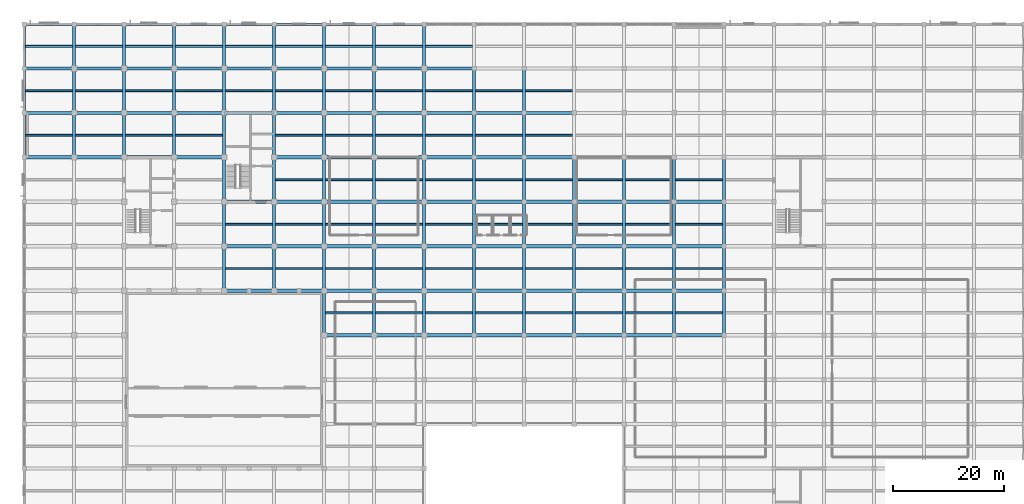
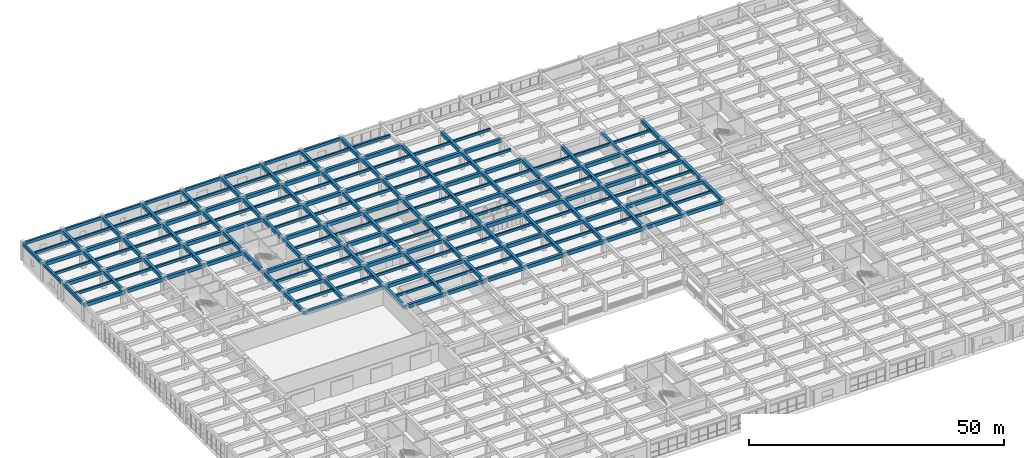
# One storey, part 15 of 50: 216 beams.
"""IFC4 building model written with IfcOpenShell, lengths in metres."""

import ifcopenshell
import ifcopenshell.guid

model = None  # the IFC model being written
_history = None  # IfcOwnerHistory: only IFC2X3 demands one
_inside = {}  # id of a spatial element -> (the spatial element, [elements in it])
_under = {}  # id of a project, library or spatial element -> (it, [spatial elements below it])
_declared = {}  # id of a project -> (the project, [libraries it declares])
_typed = {}  # id of a type object -> (the type object, [elements of that type])
_made_of = {}  # id of a material, layer set ... -> (it, [elements and type objects made of it])


def new_model(schema):
    """Start an empty IFC model of exactly this schema.

    Asked for "IFC4X3", IfcOpenShell would pick the latest addendum, in which some entities
    have other attributes; the version numbers below select the first issue.
    IFC2X3 requires an IfcOwnerHistory on every rooted entity: one is made here for all.
    """
    global model, _history
    if schema == "IFC4X3":
        model = ifcopenshell.file(schema_version=(4, 3, 0, 0))
    else:
        model = ifcopenshell.file(schema=schema)
    _inside.clear()
    _under.clear()
    _declared.clear()
    _typed.clear()
    _made_of.clear()
    _history = None
    if model.schema == "IFC2X3":
        org = make("IfcOrganization", Name="unknown")
        user = make(
            "IfcPersonAndOrganization",
            ThePerson=make("IfcPerson", FamilyName="unknown"),
            TheOrganization=org,
        )
        app = make(
            "IfcApplication",
            ApplicationDeveloper=org,
            Version="unknown",
            ApplicationFullName="unknown",
            ApplicationIdentifier="unknown",
        )
        _history = make(
            "IfcOwnerHistory",
            OwningUser=user,
            OwningApplication=app,
            ChangeAction="ADDED",
            CreationDate=0,
        )
    return model


def make(cls, **values):
    """One entity of the class cls with the attributes given. An attribute that is None is left unset."""
    return model.create_entity(
        cls, **{name: value for name, value in values.items() if value is not None}
    )


def rooted(cls, **values):
    """An entity with a GlobalId (a new one), such as an element, a storey or a relation."""
    return make(cls, GlobalId=ifcopenshell.guid.new(), OwnerHistory=_history, **values)


def si_unit(unit_type, name, prefix=None):
    """IfcSIUnit, for example si_unit("LENGTHUNIT", "METRE", prefix="MILLI")."""
    return make("IfcSIUnit", UnitType=unit_type, Prefix=prefix, Name=name)


def assignment(units):
    """IfcUnitAssignment: the units of a project."""
    return None if units is None else make("IfcUnitAssignment", Units=units)


def point(xyz):
    """IfcCartesianPoint."""
    return None if xyz is None else make("IfcCartesianPoint", Coordinates=xyz)


def direction(xyz):
    """IfcDirection."""
    return None if xyz is None else make("IfcDirection", DirectionRatios=xyz)


def frame(location, z_axis=None, x_axis=None):
    """IfcAxis2Placement3D, a coordinate frame: its origin and axes. An axis left out is left unset."""
    return make(
        "IfcAxis2Placement3D",
        Location=point(location),
        Axis=direction(z_axis),
        RefDirection=direction(x_axis),
    )


def frame_2d(location, x_axis=None):
    """IfcAxis2Placement2D, a coordinate frame in the plane: its origin and x axis."""
    return make(
        "IfcAxis2Placement2D", Location=point(location), RefDirection=direction(x_axis)
    )


def origin():
    """The frame at (0, 0, 0) with its axes left unset."""
    return frame((0.0, 0.0, 0.0))


def origin_2d():
    """The frame at (0, 0) in the plane with its x axis left unset."""
    return frame_2d((0.0, 0.0))


def place(relative_to, where):
    """IfcLocalPlacement: puts the frame where relative to a parent placement (None: the world)."""
    return make(
        "IfcLocalPlacement", PlacementRelTo=relative_to, RelativePlacement=where
    )


def context(
    kind, dimensions, precision=None, world=None, true_north=None, identifier=None
):
    """IfcGeometricRepresentationContext, for example the 3D "Model" context."""
    return make(
        "IfcGeometricRepresentationContext",
        ContextIdentifier=identifier,
        ContextType=kind,
        CoordinateSpaceDimension=dimensions,
        Precision=precision,
        WorldCoordinateSystem=world,
        TrueNorth=true_north,
    )


def subcontext(parent, identifier, kind, view, scale=None):
    """IfcGeometricRepresentationSubContext, for example "Body" below "Model"."""
    return make(
        "IfcGeometricRepresentationSubContext",
        ContextIdentifier=identifier,
        ContextType=kind,
        ParentContext=parent,
        TargetScale=scale,
        TargetView=view,
    )


def project(units=None, contexts=None):
    """IfcProject with its units and contexts."""
    return rooted(
        "IfcProject",
        Name="project",
        RepresentationContexts=contexts,
        UnitsInContext=assignment(units),
    )


def spatial(cls, under=None, at=None, **own):
    """A site, building, storey or space (cls), placed at a placement, below another one or the project."""
    s = rooted(cls, ObjectPlacement=at, **own)
    if under is not None:
        _under.setdefault(under.id(), (under, []))[1].append(s)
    return s


def profile(cls, at=None, kind="AREA", **sizes):
    """A parametric profile (cls). Its sizes go by their IFC names, for example OverallWidth=200.0."""
    return make(cls, ProfileType=kind, Position=at, **sizes)


def rectangle(**sizes):
    """IfcRectangleProfileDef."""
    return profile("IfcRectangleProfileDef", **sizes)


def extrude(swept, where, along, depth):
    """IfcExtrudedAreaSolid: the profile swept, set in the frame where, extruded along a direction by depth."""
    return make(
        "IfcExtrudedAreaSolid",
        SweptArea=swept,
        Position=where,
        ExtrudedDirection=direction(along),
        Depth=depth,
    )


def shape(context_of_items, identifier, shape_type, items):
    """IfcShapeRepresentation: the items that make up one representation, for example the "Body"."""
    return make(
        "IfcShapeRepresentation",
        ContextOfItems=context_of_items,
        RepresentationIdentifier=identifier,
        RepresentationType=shape_type,
        Items=items,
    )


def material(Name=None, Category=None):
    """IfcMaterial."""
    return make("IfcMaterial", Name=Name, Category=Category)


def material_profile(
    of_material, cross_section, Name=None, Category=None, Priority=None
):
    """IfcMaterialProfile: a cross section and its material."""
    return make(
        "IfcMaterialProfile",
        Name=Name,
        Material=of_material,
        Profile=cross_section,
        Priority=Priority,
        Category=Category,
    )


def profile_set(profiles, Name=None, composite=None):
    """IfcMaterialProfileSet."""
    return make(
        "IfcMaterialProfileSet",
        Name=Name,
        MaterialProfiles=profiles,
        CompositeProfile=composite,
    )


def made_of(thing, what):
    """Note that an element or type object is made of a material, layer set ...; save() writes the relation."""
    if what is not None:
        _made_of.setdefault(what.id(), (what, []))[1].append(thing)
    return thing


def type_object(cls, material=None, **own):
    """A type object (cls), such as IfcWallType, which elements share."""
    return made_of(rooted(cls, **own), material)


def element(
    cls,
    number,
    at=None,
    inside=None,
    cuts=None,
    type_object=None,
    material=None,
    context=None,
    identifier="Body",
    shape_type=None,
    held_by="IfcProductDefinitionShape",
    body=None,
    shapes=None,
    **own,
):
    """One element of the class cls, such as IfcWall. Its Tag is "e" and its number.

    at: its placement. inside: the storey or other place that contains it. cuts: it is an
    opening in that element (IfcRelVoidsElement). A single representation is given by context,
    identifier, shape_type and body (its items); several are given by shapes. held_by: the class
    of the entity that holds the representations. save() writes the other relations.
    """
    e = rooted(cls, Tag="e%d" % number, ObjectPlacement=at, **own)
    if body is not None:
        shapes = [shape(context, identifier, shape_type, body)]
    if shapes is not None:
        e.Representation = make(held_by, Representations=shapes)
    if inside is not None:
        _inside.setdefault(inside.id(), (inside, []))[1].append(e)
    if cuts is not None:
        rooted(
            "IfcRelVoidsElement", RelatingBuildingElement=cuts, RelatedOpeningElement=e
        )
    if type_object is not None:
        _typed.setdefault(type_object.id(), (type_object, []))[1].append(e)
    return made_of(e, material)


def aggregate(whole, parts):
    """IfcRelAggregates: a whole, such as a stair, and the parts it consists of."""
    return rooted("IfcRelAggregates", RelatingObject=whole, RelatedObjects=parts)


def save(model, path):
    """Write the relations noted so far, then the file.

    IfcRelAggregates (storeys below a building ...), IfcRelContainedInSpatialStructure (elements
    in a storey), IfcRelDefinesByType, IfcRelAssociatesMaterial and IfcRelDeclares: one each for
    every whole, place, type object, material and project.
    """
    for whole, parts in _under.values():
        aggregate(whole, parts)
    for where, things in _inside.values():
        rooted(
            "IfcRelContainedInSpatialStructure",
            RelatedElements=things,
            RelatingStructure=where,
        )
    for kind, things in _typed.values():
        rooted("IfcRelDefinesByType", RelatedObjects=things, RelatingType=kind)
    for what, things in _made_of.values():
        rooted("IfcRelAssociatesMaterial", RelatedObjects=things, RelatingMaterial=what)
    for by, libraries in _declared.values():
        rooted("IfcRelDeclares", RelatingContext=by, RelatedDefinitions=libraries)
    model.write(path)


model = new_model("IFC4")

# Units and contexts
model_context = context("Model", 3, precision=1e-05, world=origin(), true_north=direction((0.0, 1.0)))
body_context = subcontext(model_context, "Body", "Model", "MODEL_VIEW")
ifc_project = project(units=[si_unit("LENGTHUNIT", "METRE"), si_unit("AREAUNIT", "SQUARE_METRE"), si_unit("VOLUMEUNIT", "CUBIC_METRE"), si_unit("PLANEANGLEUNIT", "RADIAN"), si_unit("MASSUNIT", "GRAM", prefix="KILO")], contexts=[model_context])

# Site, building, storey
site_placement = place(None, origin())
site = spatial("IfcSite", under=ifc_project, at=site_placement, CompositionType="ELEMENT")
building_placement = place(site_placement, origin())
building = spatial("IfcBuilding", under=site, at=building_placement, Name="Zaverband Oceanarium and Marine Research Institute", CompositionType="ELEMENT")
storey_placement = place(building_placement, frame((0.0, 0.0, 4.5)))
storey = spatial("IfcBuildingStorey", under=building, at=storey_placement, Name="L01", CompositionType="ELEMENT", Elevation=4.5)

# Beams
ifc_material = material(Name="Concrete C40/50", Category="concrete")
ifc_material_profile_1 = material_profile(ifc_material, rectangle(XDim=0.60009765625, YDim=0.85009765625, at=origin_2d()), Name="RC600x850")
ifc_profile_set_1 = profile_set([ifc_material_profile_1], Name="Concrete C40/50")
beam_type_1 = type_object("IfcBeamType", Name="BM-600x850", PredefinedType="BEAM", material=ifc_profile_set_1)
for number, where, z_axis, x_axis, name in (
    (1, (54.0, 64.0, 3.7548828125), (1.0, 0.0, 0.0), (0.0, 1.0, 0.0), "Primary floor girder BM-600x850"),
    (2, (63.0, 64.0, 3.7548828125), (1.0, 0.0, 0.0), (0.0, 1.0, 0.0), "Primary floor girder BM-600x850"),
    (3, (72.0, 64.0, 3.7548828125), (1.0, 0.0, 0.0), (0.0, 1.0, 0.0), "Primary floor girder BM-600x850"),
    (4, (81.0, 64.0, 3.7548828125), (1.0, 0.0, 0.0), (0.0, 1.0, 0.0), "Primary floor girder BM-600x850"),
    (5, (90.0, 64.0, 3.7548828125), (1.0, 0.0, 0.0), (0.0, 1.0, 0.0), "Primary floor girder BM-600x850"),
    (6, (99.0, 64.0, 3.7548828125), (1.0, 0.0, 0.0), (0.0, 1.0, 0.0), "Primary floor girder BM-600x850"),
    (7, (108.0, 64.0, 3.7548828125), (1.0, 0.0, 0.0), (0.0, 1.0, 0.0), "Primary floor girder BM-600x850"),
    (8, (117.0, 64.0, 3.7548828125), (1.0, 0.0, 0.0), (0.0, 1.0, 0.0), "Primary floor girder BM-600x850"),
    (9, (36.0, 72.0, 3.7548828125), (1.0, 0.0, 0.0), (0.0, 1.0, 0.0), "Primary floor girder BM-600x850"),
    (10, (45.0, 72.0, 3.7548828125), (1.0, 0.0, 0.0), (0.0, 1.0, 0.0), "Primary floor girder BM-600x850"),
    (11, (54.0, 72.0, 3.7548828125), (1.0, 0.0, 0.0), (0.0, 1.0, 0.0), "Primary floor girder BM-600x850"),
    (12, (63.0, 72.0, 3.7548828125), (1.0, 0.0, 0.0), (0.0, 1.0, 0.0), "Primary floor girder BM-600x850"),
    (13, (72.0, 72.0, 3.7548828125), (1.0, 0.0, 0.0), (0.0, 1.0, 0.0), "Primary floor girder BM-600x850"),
    (14, (81.0, 72.0, 3.7548828125), (1.0, 0.0, 0.0), (0.0, 1.0, 0.0), "Primary floor girder BM-600x850"),
    (15, (90.0, 72.0, 3.7548828125), (1.0, 0.0, 0.0), (0.0, 1.0, 0.0), "Primary floor girder BM-600x850"),
    (16, (99.0, 72.0, 3.7548828125), (1.0, 0.0, 0.0), (0.0, 1.0, 0.0), "Primary floor girder BM-600x850"),
    (17, (108.0, 72.0, 3.7548828125), (1.0, 0.0, 0.0), (0.0, 1.0, 0.0), "Primary floor girder BM-600x850"),
    (18, (117.0, 72.0, 3.7548828125), (1.0, 0.0, 0.0), (0.0, 1.0, 0.0), "Primary floor girder BM-600x850"),
    (19, (36.0, 80.0, 3.7548828125), (1.0, 0.0, 0.0), (0.0, 1.0, 0.0), "Primary floor girder BM-600x850"),
    (20, (45.0, 80.0, 3.7548828125), (1.0, 0.0, 0.0), (0.0, 1.0, 0.0), "Primary floor girder BM-600x850"),
    (21, (54.0, 80.0, 3.7548828125), (1.0, 0.0, 0.0), (0.0, 1.0, 0.0), "Primary floor girder BM-600x850"),
    (22, (63.0, 80.0, 3.7548828125), (1.0, 0.0, 0.0), (0.0, 1.0, 0.0), "Primary floor girder BM-600x850"),
    (23, (72.0, 80.0, 3.7548828125), (1.0, 0.0, 0.0), (0.0, 1.0, 0.0), "Primary floor girder BM-600x850"),
    (24, (81.0, 80.0, 3.7548828125), (1.0, 0.0, 0.0), (0.0, 1.0, 0.0), "Primary floor girder BM-600x850"),
    (25, (90.0, 80.0, 3.7548828125), (1.0, 0.0, 0.0), (0.0, 1.0, 0.0), "Primary floor girder BM-600x850"),
    (26, (99.0, 80.0, 3.7548828125), (1.0, 0.0, 0.0), (0.0, 1.0, 0.0), "Primary floor girder BM-600x850"),
    (27, (108.0, 80.0, 3.7548828125), (1.0, 0.0, 0.0), (0.0, 1.0, 0.0), "Primary floor girder BM-600x850"),
    (28, (117.0, 80.0, 3.7548828125), (1.0, 0.0, 0.0), (0.0, 1.0, 0.0), "Primary floor girder BM-600x850"),
    (29, (36.0, 88.0, 3.7548828125), (1.0, 0.0, 0.0), (0.0, 1.0, 0.0), "Primary floor girder BM-600x850"),
    (30, (45.0, 88.0, 3.7548828125), (1.0, 0.0, 0.0), (0.0, 1.0, 0.0), "Primary floor girder BM-600x850"),
    (31, (54.0, 88.0, 3.7548828125), (1.0, 0.0, 0.0), (0.0, 1.0, 0.0), "Primary floor girder BM-600x850"),
    (32, (63.0, 88.0, 3.7548828125), (1.0, 0.0, 0.0), (0.0, 1.0, 0.0), "Primary floor girder BM-600x850"),
    (33, (72.0, 88.0, 3.7548828125), (1.0, 0.0, 0.0), (0.0, 1.0, 0.0), "Primary floor girder BM-600x850"),
    (34, (81.0, 88.0, 3.7548828125), (1.0, 0.0, 0.0), (0.0, 1.0, 0.0), "Primary floor girder BM-600x850"),
    (35, (90.0, 88.0, 3.7548828125), (1.0, 0.0, 0.0), (0.0, 1.0, 0.0), "Primary floor girder BM-600x850"),
    (36, (99.0, 88.0, 3.7548828125), (1.0, 0.0, 0.0), (0.0, 1.0, 0.0), "Primary floor girder BM-600x850"),
    (37, (108.0, 88.0, 3.7548828125), (1.0, 0.0, 0.0), (0.0, 1.0, 0.0), "Primary floor girder BM-600x850"),
    (38, (117.0, 88.0, 3.7548828125), (1.0, 0.0, 0.0), (0.0, 1.0, 0.0), "Primary floor girder BM-600x850"),
    (39, (0.0, 96.0, 3.7548828125), (1.0, 0.0, 0.0), (0.0, 1.0, 0.0), "Primary floor girder BM-600x850"),
    (40, (9.0, 96.0, 3.7548828125), (1.0, 0.0, 0.0), (0.0, 1.0, 0.0), "Primary floor girder BM-600x850"),
    (41, (18.0, 96.0, 3.7548828125), (1.0, 0.0, 0.0), (0.0, 1.0, 0.0), "Primary floor girder BM-600x850"),
    (42, (27.0, 96.0, 3.7548828125), (1.0, 0.0, 0.0), (0.0, 1.0, 0.0), "Primary floor girder BM-600x850"),
    (43, (45.0, 96.0, 3.7548828125), (1.0, 0.0, 0.0), (0.0, 1.0, 0.0), "Primary floor girder BM-600x850"),
    (44, (54.0, 96.0, 3.7548828125), (1.0, 0.0, 0.0), (0.0, 1.0, 0.0), "Primary floor girder BM-600x850"),
    (45, (63.0, 96.0, 3.7548828125), (1.0, 0.0, 0.0), (0.0, 1.0, 0.0), "Primary floor girder BM-600x850"),
    (46, (72.0, 96.0, 3.7548828125), (1.0, 0.0, 0.0), (0.0, 1.0, 0.0), "Primary floor girder BM-600x850"),
    (47, (81.0, 96.0, 3.7548828125), (1.0, 0.0, 0.0), (0.0, 1.0, 0.0), "Primary floor girder BM-600x850"),
    (48, (90.0, 96.0, 3.7548828125), (1.0, 0.0, 0.0), (0.0, 1.0, 0.0), "Primary floor girder BM-600x850"),
    (49, (0.0, 104.0, 3.7548828125), (1.0, 0.0, 0.0), (0.0, 1.0, 0.0), "Primary floor girder BM-600x850"),
    (50, (9.0, 104.0, 3.7548828125), (1.0, 0.0, 0.0), (0.0, 1.0, 0.0), "Primary floor girder BM-600x850"),
    (51, (18.0, 104.0, 3.7548828125), (1.0, 0.0, 0.0), (0.0, 1.0, 0.0), "Primary floor girder BM-600x850"),
    (52, (27.0, 104.0, 3.7548828125), (1.0, 0.0, 0.0), (0.0, 1.0, 0.0), "Primary floor girder BM-600x850"),
    (53, (36.0, 104.0, 3.7548828125), (1.0, 0.0, 0.0), (0.0, 1.0, 0.0), "Primary floor girder BM-600x850"),
    (54, (45.0, 104.0, 3.7548828125), (1.0, 0.0, 0.0), (0.0, 1.0, 0.0), "Primary floor girder BM-600x850"),
    (55, (54.0, 104.0, 3.7548828125), (1.0, 0.0, 0.0), (0.0, 1.0, 0.0), "Primary floor girder BM-600x850"),
    (56, (63.0, 104.0, 3.7548828125), (1.0, 0.0, 0.0), (0.0, 1.0, 0.0), "Primary floor girder BM-600x850"),
    (57, (72.0, 104.0, 3.7548828125), (1.0, 0.0, 0.0), (0.0, 1.0, 0.0), "Primary floor girder BM-600x850"),
    (58, (81.0, 104.0, 3.7548828125), (1.0, 0.0, 0.0), (0.0, 1.0, 0.0), "Primary floor girder BM-600x850"),
    (59, (90.0, 104.0, 3.7548828125), (1.0, 0.0, 0.0), (0.0, 1.0, 0.0), "Primary floor girder BM-600x850"),
    (60, (0.0, 112.0, 3.7548828125), (1.0, 0.0, 0.0), (0.0, 1.0, 0.0), "Primary floor girder BM-600x850"),
    (61, (9.0, 112.0, 3.7548828125), (1.0, 0.0, 0.0), (0.0, 1.0, 0.0), "Primary floor girder BM-600x850"),
    (62, (18.0, 112.0, 3.7548828125), (1.0, 0.0, 0.0), (0.0, 1.0, 0.0), "Primary floor girder BM-600x850"),
    (63, (27.0, 112.0, 3.7548828125), (1.0, 0.0, 0.0), (0.0, 1.0, 0.0), "Primary floor girder BM-600x850"),
    (64, (36.0, 112.0, 3.7548828125), (1.0, 0.0, 0.0), (0.0, 1.0, 0.0), "Primary floor girder BM-600x850"),
    (65, (45.0, 112.0, 3.7548828125), (1.0, 0.0, 0.0), (0.0, 1.0, 0.0), "Primary floor girder BM-600x850"),
    (66, (54.0, 112.0, 3.7548828125), (1.0, 0.0, 0.0), (0.0, 1.0, 0.0), "Primary floor girder BM-600x850"),
    (67, (63.0, 112.0, 3.7548828125), (1.0, 0.0, 0.0), (0.0, 1.0, 0.0), "Primary floor girder BM-600x850"),
    (68, (72.0, 112.0, 3.7548828125), (1.0, 0.0, 0.0), (0.0, 1.0, 0.0), "Primary floor girder BM-600x850"),
):
    element("IfcBeam", number, at=place(storey_placement, frame(where, z_axis=z_axis, x_axis=x_axis)), inside=storey, type_object=beam_type_1, Name=name, PredefinedType="BEAM", context=body_context, shape_type="SweptSolid", body=[
        extrude(rectangle(XDim=0.60009765625, YDim=0.85009765625, at=origin_2d()), origin(), (0.0, 0.0, 1.0), 9.0),
    ])
for number, where, z_axis, x_axis, name in (
    (69, (9.0, 96.0, 3.7548828125), (0.0, 1.0, 0.0), (-1.0, 0.0, 0.0), "Primary floor girder BM-600x850"),
    (70, (9.0, 104.0, 3.7548828125), (0.0, 1.0, 0.0), (-1.0, 0.0, 0.0), "Primary floor girder BM-600x850"),
    (71, (9.0, 112.0, 3.7548828125), (0.0, 1.0, 0.0), (-1.0, 0.0, 0.0), "Primary floor girder BM-600x850"),
    (72, (18.0, 96.0, 3.7548828125), (0.0, 1.0, 0.0), (-1.0, 0.0, 0.0), "Primary floor girder BM-600x850"),
    (73, (18.0, 104.0, 3.7548828125), (0.0, 1.0, 0.0), (-1.0, 0.0, 0.0), "Primary floor girder BM-600x850"),
    (74, (18.0, 112.0, 3.7548828125), (0.0, 1.0, 0.0), (-1.0, 0.0, 0.0), "Primary floor girder BM-600x850"),
    (75, (27.0, 96.0, 3.7548828125), (0.0, 1.0, 0.0), (-1.0, 0.0, 0.0), "Primary floor girder BM-600x850"),
    (76, (27.0, 104.0, 3.7548828125), (0.0, 1.0, 0.0), (-1.0, 0.0, 0.0), "Primary floor girder BM-600x850"),
    (77, (27.0, 112.0, 3.7548828125), (0.0, 1.0, 0.0), (-1.0, 0.0, 0.0), "Primary floor girder BM-600x850"),
    (78, (36.0, 72.0, 3.7548828125), (0.0, 1.0, 0.0), (-1.0, 0.0, 0.0), "Primary floor girder BM-600x850"),
    (79, (36.0, 80.0, 3.7548828125), (0.0, 1.0, 0.0), (-1.0, 0.0, 0.0), "Primary floor girder BM-600x850"),
    (80, (36.0, 88.0, 3.7548828125), (0.0, 1.0, 0.0), (-1.0, 0.0, 0.0), "Primary floor girder BM-600x850"),
    (81, (36.0, 96.0, 3.7548828125), (0.0, 1.0, 0.0), (-1.0, 0.0, 0.0), "Primary floor girder BM-600x850"),
    (82, (36.0, 104.0, 3.7548828125), (0.0, 1.0, 0.0), (-1.0, 0.0, 0.0), "Primary floor girder BM-600x850"),
    (83, (36.0, 112.0, 3.7548828125), (0.0, 1.0, 0.0), (-1.0, 0.0, 0.0), "Primary floor girder BM-600x850"),
    (84, (45.0, 72.0, 3.7548828125), (0.0, 1.0, 0.0), (-1.0, 0.0, 0.0), "Primary floor girder BM-600x850"),
    (85, (45.0, 80.0, 3.7548828125), (0.0, 1.0, 0.0), (-1.0, 0.0, 0.0), "Primary floor girder BM-600x850"),
    (86, (45.0, 88.0, 3.7548828125), (0.0, 1.0, 0.0), (-1.0, 0.0, 0.0), "Primary floor girder BM-600x850"),
    (87, (45.0, 96.0, 3.7548828125), (0.0, 1.0, 0.0), (-1.0, 0.0, 0.0), "Primary floor girder BM-600x850"),
    (88, (45.0, 104.0, 3.7548828125), (0.0, 1.0, 0.0), (-1.0, 0.0, 0.0), "Primary floor girder BM-600x850"),
    (89, (45.0, 112.0, 3.7548828125), (0.0, 1.0, 0.0), (-1.0, 0.0, 0.0), "Primary floor girder BM-600x850"),
    (90, (54.0, 64.0, 3.7548828125), (0.0, 1.0, 0.0), (-1.0, 0.0, 0.0), "Primary floor girder BM-600x850"),
    (91, (54.0, 72.0, 3.7548828125), (0.0, 1.0, 0.0), (-1.0, 0.0, 0.0), "Primary floor girder BM-600x850"),
    (92, (54.0, 80.0, 3.7548828125), (0.0, 1.0, 0.0), (-1.0, 0.0, 0.0), "Primary floor girder BM-600x850"),
    (93, (54.0, 88.0, 3.7548828125), (0.0, 1.0, 0.0), (-1.0, 0.0, 0.0), "Primary floor girder BM-600x850"),
    (94, (54.0, 96.0, 3.7548828125), (0.0, 1.0, 0.0), (-1.0, 0.0, 0.0), "Primary floor girder BM-600x850"),
    (95, (54.0, 104.0, 3.7548828125), (0.0, 1.0, 0.0), (-1.0, 0.0, 0.0), "Primary floor girder BM-600x850"),
    (96, (54.0, 112.0, 3.7548828125), (0.0, 1.0, 0.0), (-1.0, 0.0, 0.0), "Primary floor girder BM-600x850"),
    (97, (63.0, 64.0, 3.7548828125), (0.0, 1.0, 0.0), (-1.0, 0.0, 0.0), "Primary floor girder BM-600x850"),
    (98, (63.0, 72.0, 3.7548828125), (0.0, 1.0, 0.0), (-1.0, 0.0, 0.0), "Primary floor girder BM-600x850"),
    (99, (63.0, 80.0, 3.7548828125), (0.0, 1.0, 0.0), (-1.0, 0.0, 0.0), "Primary floor girder BM-600x850"),
    (100, (63.0, 88.0, 3.7548828125), (0.0, 1.0, 0.0), (-1.0, 0.0, 0.0), "Primary floor girder BM-600x850"),
    (101, (63.0, 96.0, 3.7548828125), (0.0, 1.0, 0.0), (-1.0, 0.0, 0.0), "Primary floor girder BM-600x850"),
    (102, (63.0, 104.0, 3.7548828125), (0.0, 1.0, 0.0), (-1.0, 0.0, 0.0), "Primary floor girder BM-600x850"),
    (103, (63.0, 112.0, 3.7548828125), (0.0, 1.0, 0.0), (-1.0, 0.0, 0.0), "Primary floor girder BM-600x850"),
    (104, (72.0, 64.0, 3.7548828125), (0.0, 1.0, 0.0), (-1.0, 0.0, 0.0), "Primary floor girder BM-600x850"),
    (105, (72.0, 72.0, 3.7548828125), (0.0, 1.0, 0.0), (-1.0, 0.0, 0.0), "Primary floor girder BM-600x850"),
    (106, (72.0, 80.0, 3.7548828125), (0.0, 1.0, 0.0), (-1.0, 0.0, 0.0), "Primary floor girder BM-600x850"),
    (107, (72.0, 88.0, 3.7548828125), (0.0, 1.0, 0.0), (-1.0, 0.0, 0.0), "Primary floor girder BM-600x850"),
    (108, (72.0, 96.0, 3.7548828125), (0.0, 1.0, 0.0), (-1.0, 0.0, 0.0), "Primary floor girder BM-600x850"),
    (109, (72.0, 104.0, 3.7548828125), (0.0, 1.0, 0.0), (-1.0, 0.0, 0.0), "Primary floor girder BM-600x850"),
    (110, (72.0, 112.0, 3.7548828125), (0.0, 1.0, 0.0), (-1.0, 0.0, 0.0), "Primary floor girder BM-600x850"),
    (111, (81.0, 64.0, 3.7548828125), (0.0, 1.0, 0.0), (-1.0, 0.0, 0.0), "Primary floor girder BM-600x850"),
    (112, (81.0, 72.0, 3.7548828125), (0.0, 1.0, 0.0), (-1.0, 0.0, 0.0), "Primary floor girder BM-600x850"),
    (113, (81.0, 80.0, 3.7548828125), (0.0, 1.0, 0.0), (-1.0, 0.0, 0.0), "Primary floor girder BM-600x850"),
    (114, (81.0, 88.0, 3.7548828125), (0.0, 1.0, 0.0), (-1.0, 0.0, 0.0), "Primary floor girder BM-600x850"),
    (115, (81.0, 96.0, 3.7548828125), (0.0, 1.0, 0.0), (-1.0, 0.0, 0.0), "Primary floor girder BM-600x850"),
    (116, (81.0, 104.0, 3.7548828125), (0.0, 1.0, 0.0), (-1.0, 0.0, 0.0), "Primary floor girder BM-600x850"),
    (117, (90.0, 64.0, 3.7548828125), (0.0, 1.0, 0.0), (-1.0, 0.0, 0.0), "Primary floor girder BM-600x850"),
    (118, (90.0, 72.0, 3.7548828125), (0.0, 1.0, 0.0), (-1.0, 0.0, 0.0), "Primary floor girder BM-600x850"),
    (119, (90.0, 80.0, 3.7548828125), (0.0, 1.0, 0.0), (-1.0, 0.0, 0.0), "Primary floor girder BM-600x850"),
    (120, (90.0, 88.0, 3.7548828125), (0.0, 1.0, 0.0), (-1.0, 0.0, 0.0), "Primary floor girder BM-600x850"),
    (121, (90.0, 96.0, 3.7548828125), (0.0, 1.0, 0.0), (-1.0, 0.0, 0.0), "Primary floor girder BM-600x850"),
    (122, (90.0, 104.0, 3.7548828125), (0.0, 1.0, 0.0), (-1.0, 0.0, 0.0), "Primary floor girder BM-600x850"),
    (123, (99.0, 64.0, 3.7548828125), (0.0, 1.0, 0.0), (-1.0, 0.0, 0.0), "Primary floor girder BM-600x850"),
    (124, (99.0, 72.0, 3.7548828125), (0.0, 1.0, 0.0), (-1.0, 0.0, 0.0), "Primary floor girder BM-600x850"),
    (125, (99.0, 80.0, 3.7548828125), (0.0, 1.0, 0.0), (-1.0, 0.0, 0.0), "Primary floor girder BM-600x850"),
    (126, (99.0, 88.0, 3.7548828125), (0.0, 1.0, 0.0), (-1.0, 0.0, 0.0), "Primary floor girder BM-600x850"),
    (127, (108.0, 64.0, 3.7548828125), (0.0, 1.0, 0.0), (-1.0, 0.0, 0.0), "Primary floor girder BM-600x850"),
    (128, (108.0, 72.0, 3.7548828125), (0.0, 1.0, 0.0), (-1.0, 0.0, 0.0), "Primary floor girder BM-600x850"),
    (129, (108.0, 80.0, 3.7548828125), (0.0, 1.0, 0.0), (-1.0, 0.0, 0.0), "Primary floor girder BM-600x850"),
    (130, (108.0, 88.0, 3.7548828125), (0.0, 1.0, 0.0), (-1.0, 0.0, 0.0), "Primary floor girder BM-600x850"),
    (131, (117.0, 64.0, 3.7548828125), (0.0, 1.0, 0.0), (-1.0, 0.0, 0.0), "Primary floor girder BM-600x850"),
    (132, (117.0, 72.0, 3.7548828125), (0.0, 1.0, 0.0), (-1.0, 0.0, 0.0), "Primary floor girder BM-600x850"),
    (133, (117.0, 80.0, 3.7548828125), (0.0, 1.0, 0.0), (-1.0, 0.0, 0.0), "Primary floor girder BM-600x850"),
    (134, (117.0, 88.0, 3.7548828125), (0.0, 1.0, 0.0), (-1.0, 0.0, 0.0), "Primary floor girder BM-600x850"),
    (135, (126.0, 64.0, 3.7548828125), (0.0, 1.0, 0.0), (-1.0, 0.0, 0.0), "Primary floor girder BM-600x850"),
    (136, (126.0, 72.0, 3.7548828125), (0.0, 1.0, 0.0), (-1.0, 0.0, 0.0), "Primary floor girder BM-600x850"),
    (137, (126.0, 80.0, 3.7548828125), (0.0, 1.0, 0.0), (-1.0, 0.0, 0.0), "Primary floor girder BM-600x850"),
    (138, (126.0, 88.0, 3.7548828125), (0.0, 1.0, 0.0), (-1.0, 0.0, 0.0), "Primary floor girder BM-600x850"),
):
    element("IfcBeam", number, at=place(storey_placement, frame(where, z_axis=z_axis, x_axis=x_axis)), inside=storey, type_object=beam_type_1, Name=name, PredefinedType="BEAM", context=body_context, shape_type="SweptSolid", body=[
        extrude(rectangle(XDim=0.60009765625, YDim=0.85009765625, at=origin_2d()), origin(), (0.0, 0.0, 1.0), 8.0),
    ])
ifc_material_profile_2 = material_profile(ifc_material, rectangle(XDim=0.35009765625, YDim=0.60009765625, at=origin_2d()), Name="RC350x600")
ifc_profile_set_2 = profile_set([ifc_material_profile_2], Name="Concrete C40/50")
beam_type_2 = type_object("IfcBeamType", Name="JST-350x600", PredefinedType="JOIST", material=ifc_profile_set_2)
for number, where, z_axis, x_axis, name in (
    (139, (0.22509765625, 100.0, 3.8798828125), (1.0, 0.0, 0.0), (0.0, 1.0, 0.0), "Secondary floor joist JST-350x600"),
    (140, (0.22509765625, 108.0, 3.8798828125), (1.0, 0.0, 0.0), (0.0, 1.0, 0.0), "Secondary floor joist JST-350x600"),
    (141, (0.22509765625, 116.0, 3.8798828125), (1.0, 0.0, 0.0), (0.0, 1.0, 0.0), "Secondary floor joist JST-350x600"),
):
    element("IfcBeam", number, at=place(storey_placement, frame(where, z_axis=z_axis, x_axis=x_axis)), inside=storey, type_object=beam_type_2, Name=name, PredefinedType="JOIST", context=body_context, shape_type="SweptSolid", body=[
        extrude(rectangle(XDim=0.35009765625, YDim=0.60009765625, at=origin_2d()), origin(), (0.0, 0.0, 1.0), 8.474853515625),
    ])
for number, where, z_axis, x_axis, name in (
    (142, (9.300048828125, 100.0, 3.8798828125), (1.0, 0.0, 0.0), (0.0, 1.0, 0.0), "Secondary floor joist JST-350x600"),
    (143, (9.300048828125, 108.0, 3.8798828125), (1.0, 0.0, 0.0), (0.0, 1.0, 0.0), "Secondary floor joist JST-350x600"),
    (144, (9.300048828125, 116.0, 3.8798828125), (1.0, 0.0, 0.0), (0.0, 1.0, 0.0), "Secondary floor joist JST-350x600"),
    (145, (18.300048828125, 100.0, 3.8798828125), (1.0, 0.0, 0.0), (0.0, 1.0, 0.0), "Secondary floor joist JST-350x600"),
    (146, (18.300048828125, 108.0, 3.8798828125), (1.0, 0.0, 0.0), (0.0, 1.0, 0.0), "Secondary floor joist JST-350x600"),
    (147, (18.300048828125, 116.0, 3.8798828125), (1.0, 0.0, 0.0), (0.0, 1.0, 0.0), "Secondary floor joist JST-350x600"),
    (148, (27.300048828125, 100.0, 3.8798828125), (1.0, 0.0, 0.0), (0.0, 1.0, 0.0), "Secondary floor joist JST-350x600"),
    (149, (27.300048828125, 108.0, 3.8798828125), (1.0, 0.0, 0.0), (0.0, 1.0, 0.0), "Secondary floor joist JST-350x600"),
    (150, (27.300048828125, 116.0, 3.8798828125), (1.0, 0.0, 0.0), (0.0, 1.0, 0.0), "Secondary floor joist JST-350x600"),
    (151, (36.300048828125, 76.0, 3.8798828125), (1.0, 0.0, 0.0), (0.0, 1.0, 0.0), "Secondary floor joist JST-350x600"),
    (152, (36.300048828125, 84.0, 3.8798828125), (1.0, 0.0, 0.0), (0.0, 1.0, 0.0), "Secondary floor joist JST-350x600"),
    (153, (36.300048828125, 108.0, 3.8798828125), (1.0, 0.0, 0.0), (0.0, 1.0, 0.0), "Secondary floor joist JST-350x600"),
    (154, (36.300048828125, 116.0, 3.8798828125), (1.0, 0.0, 0.0), (0.0, 1.0, 0.0), "Secondary floor joist JST-350x600"),
    (155, (45.300048828125, 76.0, 3.8798828125), (1.0, 0.0, 0.0), (0.0, 1.0, 0.0), "Secondary floor joist JST-350x600"),
    (156, (45.300048828125, 84.0, 3.8798828125), (1.0, 0.0, 0.0), (0.0, 1.0, 0.0), "Secondary floor joist JST-350x600"),
    (157, (45.300048828125, 92.0, 3.8798828125), (1.0, 0.0, 0.0), (0.0, 1.0, 0.0), "Secondary floor joist JST-350x600"),
    (158, (45.300048828125, 100.0, 3.8798828125), (1.0, 0.0, 0.0), (0.0, 1.0, 0.0), "Secondary floor joist JST-350x600"),
    (159, (45.300048828125, 108.0, 3.8798828125), (1.0, 0.0, 0.0), (0.0, 1.0, 0.0), "Secondary floor joist JST-350x600"),
    (160, (45.300048828125, 116.0, 3.8798828125), (1.0, 0.0, 0.0), (0.0, 1.0, 0.0), "Secondary floor joist JST-350x600"),
    (161, (54.300048828125, 68.0, 3.8798828125), (1.0, 0.0, 0.0), (0.0, 1.0, 0.0), "Secondary floor joist JST-350x600"),
    (162, (54.300048828125, 76.0, 3.8798828125), (1.0, 0.0, 0.0), (0.0, 1.0, 0.0), "Secondary floor joist JST-350x600"),
    (163, (54.300048828125, 84.0, 3.8798828125), (1.0, 0.0, 0.0), (0.0, 1.0, 0.0), "Secondary floor joist JST-350x600"),
    (164, (54.300048828125, 92.0, 3.8798828125), (1.0, 0.0, 0.0), (0.0, 1.0, 0.0), "Secondary floor joist JST-350x600"),
    (165, (54.300048828125, 100.0, 3.8798828125), (1.0, 0.0, 0.0), (0.0, 1.0, 0.0), "Secondary floor joist JST-350x600"),
    (166, (54.300048828125, 108.0, 3.8798828125), (1.0, 0.0, 0.0), (0.0, 1.0, 0.0), "Secondary floor joist JST-350x600"),
    (167, (54.300048828125, 116.0, 3.8798828125), (1.0, 0.0, 0.0), (0.0, 1.0, 0.0), "Secondary floor joist JST-350x600"),
    (168, (63.300048828125, 68.0, 3.8798828125), (1.0, 0.0, 0.0), (0.0, 1.0, 0.0), "Secondary floor joist JST-350x600"),
    (169, (63.300048828125, 76.0, 3.8798828125), (1.0, 0.0, 0.0), (0.0, 1.0, 0.0), "Secondary floor joist JST-350x600"),
    (170, (63.300048828125, 84.0, 3.8798828125), (1.0, 0.0, 0.0), (0.0, 1.0, 0.0), "Secondary floor joist JST-350x600"),
    (171, (63.300048828125, 92.0, 3.8798828125), (1.0, 0.0, 0.0), (0.0, 1.0, 0.0), "Secondary floor joist JST-350x600"),
    (172, (63.300048828125, 100.0, 3.8798828125), (1.0, 0.0, 0.0), (0.0, 1.0, 0.0), "Secondary floor joist JST-350x600"),
    (173, (63.300048828125, 108.0, 3.8798828125), (1.0, 0.0, 0.0), (0.0, 1.0, 0.0), "Secondary floor joist JST-350x600"),
    (174, (63.300048828125, 116.0, 3.8798828125), (1.0, 0.0, 0.0), (0.0, 1.0, 0.0), "Secondary floor joist JST-350x600"),
    (175, (72.300048828125, 68.0, 3.8798828125), (1.0, 0.0, 0.0), (0.0, 1.0, 0.0), "Secondary floor joist JST-350x600"),
    (176, (72.300048828125, 76.0, 3.8798828125), (1.0, 0.0, 0.0), (0.0, 1.0, 0.0), "Secondary floor joist JST-350x600"),
    (177, (72.300048828125, 84.0, 3.8798828125), (1.0, 0.0, 0.0), (0.0, 1.0, 0.0), "Secondary floor joist JST-350x600"),
    (178, (72.300048828125, 92.0, 3.8798828125), (1.0, 0.0, 0.0), (0.0, 1.0, 0.0), "Secondary floor joist JST-350x600"),
    (179, (72.300048828125, 100.0, 3.8798828125), (1.0, 0.0, 0.0), (0.0, 1.0, 0.0), "Secondary floor joist JST-350x600"),
    (180, (72.300048828125, 108.0, 3.8798828125), (1.0, 0.0, 0.0), (0.0, 1.0, 0.0), "Secondary floor joist JST-350x600"),
    (181, (72.300048828125, 116.0, 3.8798828125), (1.0, 0.0, 0.0), (0.0, 1.0, 0.0), "Secondary floor joist JST-350x600"),
    (182, (81.300048828125, 68.0, 3.8798828125), (1.0, 0.0, 0.0), (0.0, 1.0, 0.0), "Secondary floor joist JST-350x600"),
    (183, (81.300048828125, 76.0, 3.8798828125), (1.0, 0.0, 0.0), (0.0, 1.0, 0.0), "Secondary floor joist JST-350x600"),
    (184, (81.300048828125, 84.0, 3.8798828125), (1.0, 0.0, 0.0), (0.0, 1.0, 0.0), "Secondary floor joist JST-350x600"),
    (185, (81.300048828125, 92.0, 3.8798828125), (1.0, 0.0, 0.0), (0.0, 1.0, 0.0), "Secondary floor joist JST-350x600"),
    (186, (81.300048828125, 100.0, 3.8798828125), (1.0, 0.0, 0.0), (0.0, 1.0, 0.0), "Secondary floor joist JST-350x600"),
    (187, (81.300048828125, 108.0, 3.8798828125), (1.0, 0.0, 0.0), (0.0, 1.0, 0.0), "Secondary floor joist JST-350x600"),
    (188, (90.300048828125, 68.0, 3.8798828125), (1.0, 0.0, 0.0), (0.0, 1.0, 0.0), "Secondary floor joist JST-350x600"),
    (189, (90.300048828125, 76.0, 3.8798828125), (1.0, 0.0, 0.0), (0.0, 1.0, 0.0), "Secondary floor joist JST-350x600"),
    (190, (90.300048828125, 84.0, 3.8798828125), (1.0, 0.0, 0.0), (0.0, 1.0, 0.0), "Secondary floor joist JST-350x600"),
    (191, (90.300048828125, 92.0, 3.8798828125), (1.0, 0.0, 0.0), (0.0, 1.0, 0.0), "Secondary floor joist JST-350x600"),
    (192, (90.300048828125, 100.0, 3.8798828125), (1.0, 0.0, 0.0), (0.0, 1.0, 0.0), "Secondary floor joist JST-350x600"),
    (193, (90.300048828125, 108.0, 3.8798828125), (1.0, 0.0, 0.0), (0.0, 1.0, 0.0), "Secondary floor joist JST-350x600"),
    (194, (99.300048828125, 68.0, 3.8798828125), (1.0, 0.0, 0.0), (0.0, 1.0, 0.0), "Secondary floor joist JST-350x600"),
    (195, (99.300048828125, 76.0, 3.8798828125), (1.0, 0.0, 0.0), (0.0, 1.0, 0.0), "Secondary floor joist JST-350x600"),
    (196, (99.300048828125, 84.0, 3.8798828125), (1.0, 0.0, 0.0), (0.0, 1.0, 0.0), "Secondary floor joist JST-350x600"),
    (197, (99.300048828125, 92.0, 3.8798828125), (1.0, 0.0, 0.0), (0.0, 1.0, 0.0), "Secondary floor joist JST-350x600"),
    (198, (108.300048828125, 68.0, 3.8798828125), (1.0, 0.0, 0.0), (0.0, 1.0, 0.0), "Secondary floor joist JST-350x600"),
    (199, (108.300048828125, 76.0, 3.8798828125), (1.0, 0.0, 0.0), (0.0, 1.0, 0.0), "Secondary floor joist JST-350x600"),
    (200, (108.300048828125, 84.0, 3.8798828125), (1.0, 0.0, 0.0), (0.0, 1.0, 0.0), "Secondary floor joist JST-350x600"),
    (201, (108.300048828125, 92.0, 3.8798828125), (1.0, 0.0, 0.0), (0.0, 1.0, 0.0), "Secondary floor joist JST-350x600"),
    (202, (117.300048828125, 68.0, 3.8798828125), (1.0, 0.0, 0.0), (0.0, 1.0, 0.0), "Secondary floor joist JST-350x600"),
    (203, (117.300048828125, 76.0, 3.8798828125), (1.0, 0.0, 0.0), (0.0, 1.0, 0.0), "Secondary floor joist JST-350x600"),
    (204, (117.300048828125, 84.0, 3.8798828125), (1.0, 0.0, 0.0), (0.0, 1.0, 0.0), "Secondary floor joist JST-350x600"),
    (205, (117.300048828125, 92.0, 3.8798828125), (1.0, 0.0, 0.0), (0.0, 1.0, 0.0), "Secondary floor joist JST-350x600"),
):
    element("IfcBeam", number, at=place(storey_placement, frame(where, z_axis=z_axis, x_axis=x_axis)), inside=storey, type_object=beam_type_2, Name=name, PredefinedType="JOIST", context=body_context, shape_type="SweptSolid", body=[
        extrude(rectangle(XDim=0.35009765625, YDim=0.60009765625, at=origin_2d()), origin(), (0.0, 0.0, 1.0), 8.39990234375),
    ])
ifc_material_profile_3 = material_profile(ifc_material, rectangle(XDim=0.449951171875, YDim=0.699951171875, at=origin_2d()), Name="RC450x700")
ifc_profile_set_3 = profile_set([ifc_material_profile_3], Name="Concrete C40/50")
beam_type_3 = type_object("IfcBeamType", Name="SPN-450x700", PredefinedType="SPANDREL", material=ifc_profile_set_3)
for number, where, z_axis, x_axis, name in (
    (206, (0.0, 120.0, 3.830078125), (1.0, 0.0, 0.0), (0.0, 1.0, 0.0), "Perimeter spandrel beam SPN-450x700"),
    (207, (9.0, 120.0, 3.830078125), (1.0, 0.0, 0.0), (0.0, 1.0, 0.0), "Perimeter spandrel beam SPN-450x700"),
    (208, (18.0, 120.0, 3.830078125), (1.0, 0.0, 0.0), (0.0, 1.0, 0.0), "Perimeter spandrel beam SPN-450x700"),
    (209, (27.0, 120.0, 3.830078125), (1.0, 0.0, 0.0), (0.0, 1.0, 0.0), "Perimeter spandrel beam SPN-450x700"),
    (210, (36.0, 120.0, 3.830078125), (1.0, 0.0, 0.0), (0.0, 1.0, 0.0), "Perimeter spandrel beam SPN-450x700"),
    (211, (45.0, 120.0, 3.830078125), (1.0, 0.0, 0.0), (0.0, 1.0, 0.0), "Perimeter spandrel beam SPN-450x700"),
    (212, (54.0, 120.0, 3.830078125), (1.0, 0.0, 0.0), (0.0, 1.0, 0.0), "Perimeter spandrel beam SPN-450x700"),
    (213, (63.0, 120.0, 3.830078125), (1.0, 0.0, 0.0), (0.0, 1.0, 0.0), "Perimeter spandrel beam SPN-450x700"),
):
    element("IfcBeam", number, at=place(storey_placement, frame(where, z_axis=z_axis, x_axis=x_axis)), inside=storey, type_object=beam_type_3, Name=name, PredefinedType="SPANDREL", context=body_context, shape_type="SweptSolid", body=[
        extrude(rectangle(XDim=0.449951171875, YDim=0.699951171875, at=origin_2d()), origin(), (0.0, 0.0, 1.0), 9.0),
    ])
for number, where, z_axis, x_axis, name in (
    (214, (0.0, 96.0, 3.830078125), (0.0, 1.0, 0.0), (-1.0, 0.0, 0.0), "Perimeter spandrel beam SPN-450x700"),
    (215, (0.0, 104.0, 3.830078125), (0.0, 1.0, 0.0), (-1.0, 0.0, 0.0), "Perimeter spandrel beam SPN-450x700"),
    (216, (0.0, 112.0, 3.830078125), (0.0, 1.0, 0.0), (-1.0, 0.0, 0.0), "Perimeter spandrel beam SPN-450x700"),
):
    element("IfcBeam", number, at=place(storey_placement, frame(where, z_axis=z_axis, x_axis=x_axis)), inside=storey, type_object=beam_type_3, Name=name, PredefinedType="SPANDREL", context=body_context, shape_type="SweptSolid", body=[
        extrude(rectangle(XDim=0.449951171875, YDim=0.699951171875, at=origin_2d()), origin(), (0.0, 0.0, 1.0), 8.0),
    ])

save(model, "model.ifc")
